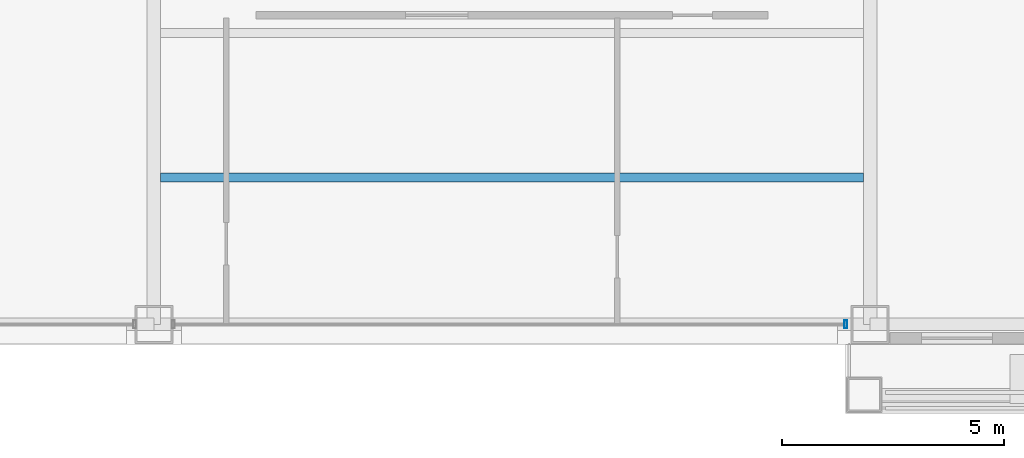
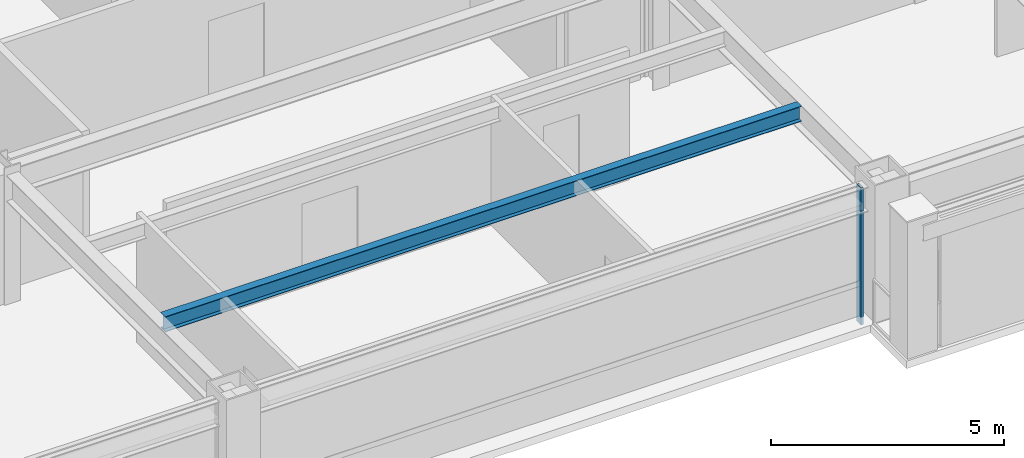
# One storey, part 7 of 31: 1 beam, 1 member, 1 element without a shape of its own.
"""IFC4 building model written with IfcOpenShell, lengths in metres."""

from ifc_helpers import new_model, si_unit, direction, frame, origin, origin_2d, place, context, subcontext, project, spatial, hollow_rectangle, i_section, extrude, material, layer, layer_set, material_profile, profile_set, type_object, element, aggregate, save


model = new_model("IFC4")

# Units and contexts
model_context = context("Model", 3, precision=1e-05, world=origin(), true_north=direction((0.0, 1.0)))
body_context = subcontext(model_context, "Body", "Model", "MODEL_VIEW")
ifc_project = project(units=[si_unit("LENGTHUNIT", "METRE"), si_unit("AREAUNIT", "SQUARE_METRE"), si_unit("VOLUMEUNIT", "CUBIC_METRE"), si_unit("PLANEANGLEUNIT", "RADIAN"), si_unit("MASSUNIT", "GRAM", prefix="KILO")], contexts=[model_context])

# Site, building, storey
site_placement = place(None, origin())
site = spatial("IfcSite", under=ifc_project, at=site_placement, CompositionType="ELEMENT")
building_placement = place(site_placement, origin())
building = spatial("IfcBuilding", under=site, at=building_placement, Name="Brelmoor Portico Tower", CompositionType="ELEMENT")
storey_placement = place(building_placement, frame((0.0, 0.0, 113.39990234375)))
storey = spatial("IfcBuildingStorey", under=building, at=storey_placement, Name="L29", CompositionType="ELEMENT", Elevation=113.39990234375)

# Beam
ifc_material_1 = material(Name="Steel Q355B", Category="steel")
ifc_material_profile_1 = material_profile(ifc_material_1, i_section(OverallWidth=0.199951171875, OverallDepth=0.39990234375, WebThickness=0.008056640625, FlangeThickness=0.012939453125, at=origin_2d()), Name="HN 400x200x8x13")
ifc_profile_set_1 = profile_set([ifc_material_profile_1], Name="Steel Q355B")
beam_type = type_object("IfcBeamType", Name="BM-JS-400", PredefinedType="JOIST", material=ifc_profile_set_1)
beam_placement = place(storey_placement, frame((-7.89990234375, -16.25, 3.2001953125), z_axis=(1.0, 0.0, 0.0), x_axis=(0.0, 1.0, 0.0)))
element("IfcBeam", 1, at=beam_placement, inside=storey, type_object=beam_type, Name="L29 Secondary Composite Joist JS-C01", PredefinedType="JOIST", context=body_context, shape_type="SweptSolid", body=[
    extrude(i_section(OverallWidth=0.199951171875, OverallDepth=0.39990234375, WebThickness=0.008056640625, FlangeThickness=0.012939453125, at=origin_2d()), origin(), (0.0, 0.0, 1.0), 15.7998046875),
])

# Curtain wall, member
ifc_material_2 = material(Name="Anodised Aluminium Alloy 6063-T6", Category="aluminium")
ifc_layer = layer(ifc_material_2, 0.179931640625)
ifc_layer_set = layer_set([ifc_layer], Name="Anodised Aluminium Alloy 6063-T6")
curtain_wall_type = type_object("IfcCurtainWallType", Name="CW-TOWER-Z2", PredefinedType="NOTDEFINED", material=ifc_layer_set)
curtain_wall_placement = place(storey_placement, origin())
curtain_wall = element("IfcCurtainWall", 2, at=curtain_wall_placement, inside=storey, type_object=curtain_wall_type, Name="L29 Curtain Wall CW-L29-1L-3", PredefinedType="NOTDEFINED")
ifc_material_profile_2 = material_profile(ifc_material_2, hollow_rectangle(XDim=0.06494140625, YDim=0.179931640625, WallThickness=0.00390625, at=origin_2d()), Name="ALU MULLION 65x180")
ifc_profile_set_2 = profile_set([ifc_material_profile_2], Name="Anodised Aluminium Alloy 6063-T6")
member_type = type_object("IfcMemberType", Name="MB-CW-MULL-180", PredefinedType="MULLION", material=ifc_profile_set_2)
member_placement = place(storey_placement, frame((7.5, -19.550048828125, -0.199951171875), z_axis=(0.0, 0.0, 1.0), x_axis=(1.0, 0.0, 0.0)))
member = element("IfcMember", 3, at=member_placement, type_object=member_type, Name="CW-L29-1L-3 Mullion 01", PredefinedType="MULLION", context=body_context, shape_type="SweptSolid", body=[
    extrude(hollow_rectangle(XDim=0.06494140625, YDim=0.179931640625, WallThickness=0.00390625, at=origin_2d()), origin(), (0.0, 0.0, 1.0), 3.60009765625),
])
aggregate(curtain_wall, [member])

save(model, "model.ifc")
